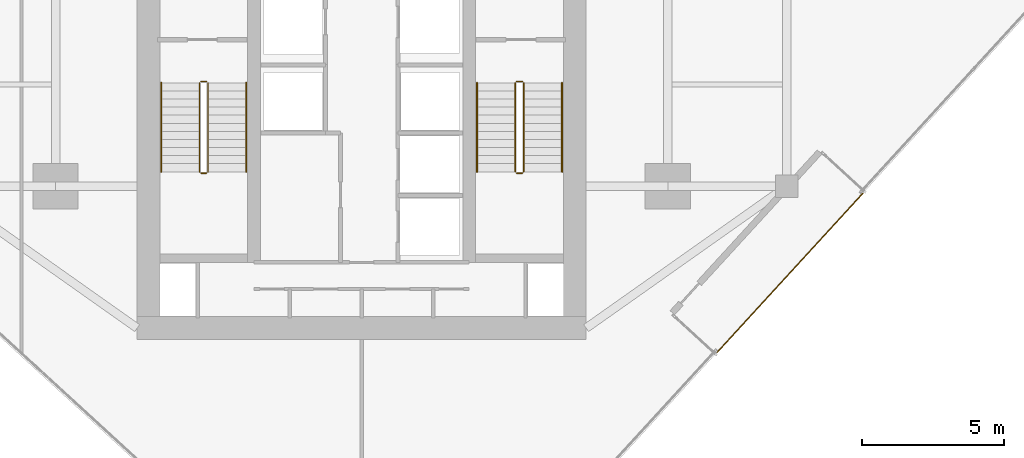
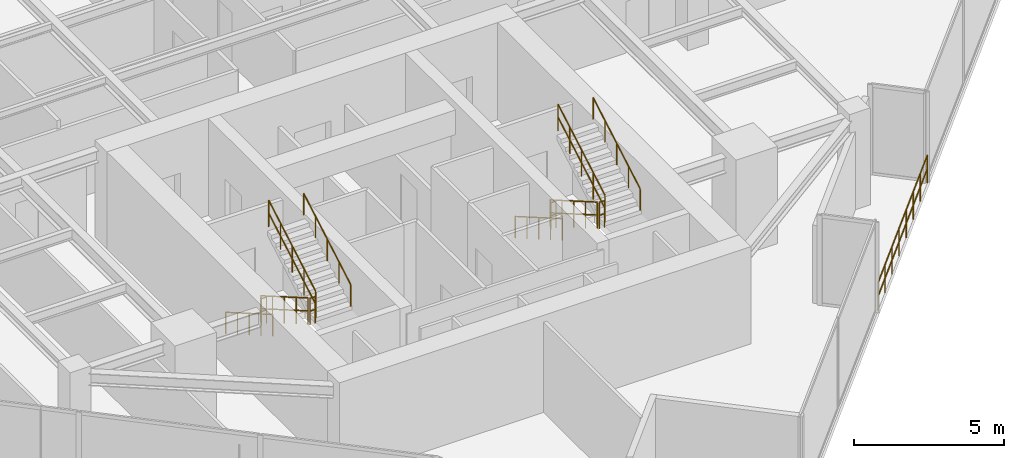
# One storey, part 25 of 26: 13 railings.
"""IFC4 building model written with IfcOpenShell, lengths in metres."""

import ifcopenshell
import ifcopenshell.guid

model = None  # the IFC model being written
_history = None  # IfcOwnerHistory: only IFC2X3 demands one
_inside = {}  # id of a spatial element -> (the spatial element, [elements in it])
_under = {}  # id of a project, library or spatial element -> (it, [spatial elements below it])
_declared = {}  # id of a project -> (the project, [libraries it declares])
_typed = {}  # id of a type object -> (the type object, [elements of that type])
_made_of = {}  # id of a material, layer set ... -> (it, [elements and type objects made of it])


def new_model(schema):
    """Start an empty IFC model of exactly this schema.

    Asked for "IFC4X3", IfcOpenShell would pick the latest addendum, in which some entities
    have other attributes; the version numbers below select the first issue.
    IFC2X3 requires an IfcOwnerHistory on every rooted entity: one is made here for all.
    """
    global model, _history
    if schema == "IFC4X3":
        model = ifcopenshell.file(schema_version=(4, 3, 0, 0))
    else:
        model = ifcopenshell.file(schema=schema)
    _inside.clear()
    _under.clear()
    _declared.clear()
    _typed.clear()
    _made_of.clear()
    _history = None
    if model.schema == "IFC2X3":
        org = make("IfcOrganization", Name="unknown")
        user = make(
            "IfcPersonAndOrganization",
            ThePerson=make("IfcPerson", FamilyName="unknown"),
            TheOrganization=org,
        )
        app = make(
            "IfcApplication",
            ApplicationDeveloper=org,
            Version="unknown",
            ApplicationFullName="unknown",
            ApplicationIdentifier="unknown",
        )
        _history = make(
            "IfcOwnerHistory",
            OwningUser=user,
            OwningApplication=app,
            ChangeAction="ADDED",
            CreationDate=0,
        )
    return model


def make(cls, **values):
    """One entity of the class cls with the attributes given. An attribute that is None is left unset."""
    return model.create_entity(
        cls, **{name: value for name, value in values.items() if value is not None}
    )


def rooted(cls, **values):
    """An entity with a GlobalId (a new one), such as an element, a storey or a relation."""
    return make(cls, GlobalId=ifcopenshell.guid.new(), OwnerHistory=_history, **values)


def si_unit(unit_type, name, prefix=None):
    """IfcSIUnit, for example si_unit("LENGTHUNIT", "METRE", prefix="MILLI")."""
    return make("IfcSIUnit", UnitType=unit_type, Prefix=prefix, Name=name)


def assignment(units):
    """IfcUnitAssignment: the units of a project."""
    return None if units is None else make("IfcUnitAssignment", Units=units)


def point(xyz):
    """IfcCartesianPoint."""
    return None if xyz is None else make("IfcCartesianPoint", Coordinates=xyz)


def direction(xyz):
    """IfcDirection."""
    return None if xyz is None else make("IfcDirection", DirectionRatios=xyz)


def frame(location, z_axis=None, x_axis=None):
    """IfcAxis2Placement3D, a coordinate frame: its origin and axes. An axis left out is left unset."""
    return make(
        "IfcAxis2Placement3D",
        Location=point(location),
        Axis=direction(z_axis),
        RefDirection=direction(x_axis),
    )


def frame_2d(location, x_axis=None):
    """IfcAxis2Placement2D, a coordinate frame in the plane: its origin and x axis."""
    return make(
        "IfcAxis2Placement2D", Location=point(location), RefDirection=direction(x_axis)
    )


def origin():
    """The frame at (0, 0, 0) with its axes left unset."""
    return frame((0.0, 0.0, 0.0))


def origin_2d():
    """The frame at (0, 0) in the plane with its x axis left unset."""
    return frame_2d((0.0, 0.0))


def place(relative_to, where):
    """IfcLocalPlacement: puts the frame where relative to a parent placement (None: the world)."""
    return make(
        "IfcLocalPlacement", PlacementRelTo=relative_to, RelativePlacement=where
    )


def context(
    kind, dimensions, precision=None, world=None, true_north=None, identifier=None
):
    """IfcGeometricRepresentationContext, for example the 3D "Model" context."""
    return make(
        "IfcGeometricRepresentationContext",
        ContextIdentifier=identifier,
        ContextType=kind,
        CoordinateSpaceDimension=dimensions,
        Precision=precision,
        WorldCoordinateSystem=world,
        TrueNorth=true_north,
    )


def subcontext(parent, identifier, kind, view, scale=None):
    """IfcGeometricRepresentationSubContext, for example "Body" below "Model"."""
    return make(
        "IfcGeometricRepresentationSubContext",
        ContextIdentifier=identifier,
        ContextType=kind,
        ParentContext=parent,
        TargetScale=scale,
        TargetView=view,
    )


def project(units=None, contexts=None):
    """IfcProject with its units and contexts."""
    return rooted(
        "IfcProject",
        Name="project",
        RepresentationContexts=contexts,
        UnitsInContext=assignment(units),
    )


def spatial(cls, under=None, at=None, **own):
    """A site, building, storey or space (cls), placed at a placement, below another one or the project."""
    s = rooted(cls, ObjectPlacement=at, **own)
    if under is not None:
        _under.setdefault(under.id(), (under, []))[1].append(s)
    return s


def profile(cls, at=None, kind="AREA", **sizes):
    """A parametric profile (cls). Its sizes go by their IFC names, for example OverallWidth=200.0."""
    return make(cls, ProfileType=kind, Position=at, **sizes)


def circle(**sizes):
    """IfcCircleProfileDef."""
    return profile("IfcCircleProfileDef", **sizes)


def extrude(swept, where, along, depth):
    """IfcExtrudedAreaSolid: the profile swept, set in the frame where, extruded along a direction by depth."""
    return make(
        "IfcExtrudedAreaSolid",
        SweptArea=swept,
        Position=where,
        ExtrudedDirection=direction(along),
        Depth=depth,
    )


def shape(context_of_items, identifier, shape_type, items):
    """IfcShapeRepresentation: the items that make up one representation, for example the "Body"."""
    return make(
        "IfcShapeRepresentation",
        ContextOfItems=context_of_items,
        RepresentationIdentifier=identifier,
        RepresentationType=shape_type,
        Items=items,
    )


def material(Name=None, Category=None):
    """IfcMaterial."""
    return make("IfcMaterial", Name=Name, Category=Category)


def layer(
    of_material, thickness, ventilated=None, Name=None, Category=None, Priority=None
):
    """IfcMaterialLayer: one layer of a wall or slab, of a material (None: an air gap)."""
    return make(
        "IfcMaterialLayer",
        Material=of_material,
        LayerThickness=thickness,
        IsVentilated=ventilated,
        Name=Name,
        Category=Category,
        Priority=Priority,
    )


def layer_set(layers, Name=None):
    """IfcMaterialLayerSet."""
    return make("IfcMaterialLayerSet", MaterialLayers=layers, LayerSetName=Name)


def made_of(thing, what):
    """Note that an element or type object is made of a material, layer set ...; save() writes the relation."""
    if what is not None:
        _made_of.setdefault(what.id(), (what, []))[1].append(thing)
    return thing


def type_object(cls, material=None, **own):
    """A type object (cls), such as IfcWallType, which elements share."""
    return made_of(rooted(cls, **own), material)


def element(
    cls,
    number,
    at=None,
    inside=None,
    cuts=None,
    type_object=None,
    material=None,
    context=None,
    identifier="Body",
    shape_type=None,
    held_by="IfcProductDefinitionShape",
    body=None,
    shapes=None,
    **own,
):
    """One element of the class cls, such as IfcWall. Its Tag is "e" and its number.

    at: its placement. inside: the storey or other place that contains it. cuts: it is an
    opening in that element (IfcRelVoidsElement). A single representation is given by context,
    identifier, shape_type and body (its items); several are given by shapes. held_by: the class
    of the entity that holds the representations. save() writes the other relations.
    """
    e = rooted(cls, Tag="e%d" % number, ObjectPlacement=at, **own)
    if body is not None:
        shapes = [shape(context, identifier, shape_type, body)]
    if shapes is not None:
        e.Representation = make(held_by, Representations=shapes)
    if inside is not None:
        _inside.setdefault(inside.id(), (inside, []))[1].append(e)
    if cuts is not None:
        rooted(
            "IfcRelVoidsElement", RelatingBuildingElement=cuts, RelatedOpeningElement=e
        )
    if type_object is not None:
        _typed.setdefault(type_object.id(), (type_object, []))[1].append(e)
    return made_of(e, material)


def aggregate(whole, parts):
    """IfcRelAggregates: a whole, such as a stair, and the parts it consists of."""
    return rooted("IfcRelAggregates", RelatingObject=whole, RelatedObjects=parts)


def save(model, path):
    """Write the relations noted so far, then the file.

    IfcRelAggregates (storeys below a building ...), IfcRelContainedInSpatialStructure (elements
    in a storey), IfcRelDefinesByType, IfcRelAssociatesMaterial and IfcRelDeclares: one each for
    every whole, place, type object, material and project.
    """
    for whole, parts in _under.values():
        aggregate(whole, parts)
    for where, things in _inside.values():
        rooted(
            "IfcRelContainedInSpatialStructure",
            RelatedElements=things,
            RelatingStructure=where,
        )
    for kind, things in _typed.values():
        rooted("IfcRelDefinesByType", RelatedObjects=things, RelatingType=kind)
    for what, things in _made_of.values():
        rooted("IfcRelAssociatesMaterial", RelatedObjects=things, RelatingMaterial=what)
    for by, libraries in _declared.values():
        rooted("IfcRelDeclares", RelatingContext=by, RelatedDefinitions=libraries)
    model.write(path)


model = new_model("IFC4")

# Units and contexts
model_context = context("Model", 3, precision=1e-05, world=origin(), true_north=direction((0.0, 1.0)))
body_context = subcontext(model_context, "Body", "Model", "MODEL_VIEW")
ifc_project = project(units=[si_unit("LENGTHUNIT", "METRE"), si_unit("AREAUNIT", "SQUARE_METRE"), si_unit("VOLUMEUNIT", "CUBIC_METRE"), si_unit("PLANEANGLEUNIT", "RADIAN"), si_unit("MASSUNIT", "GRAM", prefix="KILO")], contexts=[model_context])

# Site, building, storey
site_placement = place(None, origin())
site = spatial("IfcSite", under=ifc_project, at=site_placement, CompositionType="ELEMENT")
building_placement = place(site_placement, origin())
building = spatial("IfcBuilding", under=site, at=building_placement, Name="Krantzveldt Concourse Tower", CompositionType="ELEMENT")
storey_placement = place(building_placement, frame((0.0, 0.0, 219.14990234375)))
storey = spatial("IfcBuildingStorey", under=building, at=storey_placement, Name="L53", CompositionType="ELEMENT", Elevation=219.14990234375)

# Railings
ifc_material = material(Name="Stainless steel 316L", Category="steel")
ifc_layer_1 = layer(ifc_material, 0.080078125, Name="Stainless steel 316L", Category="steel")
ifc_layer_set_1 = layer_set([ifc_layer_1], Name="Stainless steel 316L (RL-BALUSTRADE-1150)")
railing_type_1 = type_object("IfcRailingType", Name="RL-BALUSTRADE-1150", PredefinedType="BALUSTRADE", material=ifc_layer_set_1)
railing_1_placement = place(storey_placement, frame((48.546875, 10.048828125, 0.0)))
element("IfcRailing", 1, at=railing_1_placement, inside=storey, type_object=railing_type_1, Name="GD-L53-CTER-01", PredefinedType="BALUSTRADE", context=body_context, shape_type="SweptSolid", body=[
    extrude(circle(Radius=0.02392578125, at=origin_2d()), frame((0.0, 0.0, 1.1259765625), z_axis=(0.675595153214, 0.737272804974, 0.0), x_axis=(-0.737272804974, 0.675595153214, 0.0)), (0.0, 0.0, 1.0), 7.60009765625),
    extrude(circle(Radius=0.02392578125, at=origin_2d()), frame((0.0, 0.0, 0.574951171875), z_axis=(0.675595153214, 0.737272804974, 0.0), x_axis=(-0.737272804974, 0.675595153214, 0.0)), (0.0, 0.0, 1.0), 7.60009765625),
    extrude(circle(Radius=0.02099609375, at=origin_2d()), origin(), (0.0, 0.0, 1.0), 1.101806640625),
    extrude(circle(Radius=0.02099609375, at=origin_2d()), frame((0.7333984375, 0.800537109375, 0.0)), (0.0, 0.0, 1.0), 1.101806640625),
    extrude(circle(Radius=0.02099609375, at=origin_2d()), frame((1.467041015625, 1.600830078125, 0.0)), (0.0, 0.0, 1.0), 1.101806640625),
    extrude(circle(Radius=0.02099609375, at=origin_2d()), frame((2.200439453125, 2.4013671875, 0.0)), (0.0, 0.0, 1.0), 1.101806640625),
    extrude(circle(Radius=0.02099609375, at=origin_2d()), frame((2.93408203125, 3.201904296875, 0.0)), (0.0, 0.0, 1.0), 1.101806640625),
    extrude(circle(Radius=0.02099609375, at=origin_2d()), frame((3.66748046875, 4.00244140625, 0.0)), (0.0, 0.0, 1.0), 1.101806640625),
    extrude(circle(Radius=0.02099609375, at=origin_2d()), frame((4.401123046875, 4.802734375, 0.0)), (0.0, 0.0, 1.0), 1.101806640625),
    extrude(circle(Radius=0.02099609375, at=origin_2d()), frame((5.134521484375, 5.603271484375, 0.0)), (0.0, 0.0, 1.0), 1.101806640625),
])
ifc_layer_2 = layer(ifc_material, 0.06005859375, Name="Stainless steel 316L", Category="steel")
ifc_layer_set_2 = layer_set([ifc_layer_2], Name="Stainless steel 316L (RL-GUARD-1120)")
railing_type_2 = type_object("IfcRailingType", Name="RL-GUARD-1120", PredefinedType="GUARDRAIL", material=ifc_layer_set_2)
railing_2_placement = place(storey_placement, frame((30.280029296875, 19.550048828125, 0.164794921875)))
element("IfcRailing", 2, at=railing_2_placement, inside=storey, type_object=railing_type_2, Name="L53 ST-1 stair guard 1", PredefinedType="GUARDRAIL", context=body_context, shape_type="SweptSolid", body=[
    extrude(circle(Radius=0.02392578125, at=origin_2d()), frame((0.0, 0.0, 1.076171875), z_axis=(0.0, -0.865989039225, 0.500062979975), x_axis=(1.0, 0.0, 0.0)), (0.0, 0.0, 1.0), 3.6201171875),
    extrude(circle(Radius=0.02392578125, at=origin_2d()), frame((0.0, 0.0, 0.550048828125), z_axis=(0.0, -0.865989039225, 0.500062979975), x_axis=(1.0, 0.0, 0.0)), (0.0, 0.0, 1.0), 3.6201171875),
    extrude(circle(Radius=0.02099609375, at=origin_2d()), origin(), (0.0, 0.0, 1.0), 1.052001953125),
    extrude(circle(Radius=0.02099609375, at=origin_2d()), frame((0.0, -0.78369140625, 0.45263671875)), (0.0, 0.0, 1.0), 1.052001953125),
    extrude(circle(Radius=0.02099609375, at=origin_2d()), frame((0.0, -1.5673828125, 0.9052734375)), (0.0, 0.0, 1.0), 1.052001953125),
    extrude(circle(Radius=0.02099609375, at=origin_2d()), frame((0.0, -2.351318359375, 1.357666015625)), (0.0, 0.0, 1.0), 1.052001953125),
    extrude(circle(Radius=0.02099609375, at=origin_2d()), frame((0.0, -3.135009765625, 1.810302734375)), (0.0, 0.0, 1.0), 1.052001953125),
])
railing_3_placement = place(storey_placement, frame((30.330078125, 16.364990234375, 1.97509765625)))
element("IfcRailing", 3, at=railing_3_placement, inside=storey, type_object=railing_type_2, Name="L53 ST-1 stair guard 2", PredefinedType="GUARDRAIL", context=body_context, shape_type="SweptSolid", body=[
    extrude(circle(Radius=0.02392578125, at=origin_2d()), frame((0.0, 0.0, 1.076171875), z_axis=(1.0, 0.0, 0.0), x_axis=(0.0, 1.0, 0.0)), (0.0, 0.0, 1.0), 0.199951171875),
    extrude(circle(Radius=0.02392578125, at=origin_2d()), frame((0.0, 0.0, 0.550048828125), z_axis=(1.0, 0.0, 0.0), x_axis=(0.0, 1.0, 0.0)), (0.0, 0.0, 1.0), 0.199951171875),
    extrude(circle(Radius=0.02099609375, at=origin_2d()), origin(), (0.0, 0.0, 1.0), 1.052001953125),
    extrude(circle(Radius=0.02099609375, at=origin_2d()), frame((0.199951171875, 0.0, 0.0)), (0.0, 0.0, 1.0), 1.052001953125),
])
railing_4_placement = place(storey_placement, frame((30.580078125, 16.4150390625, 2.1396484375)))
element("IfcRailing", 4, at=railing_4_placement, inside=storey, type_object=railing_type_2, Name="L53 ST-1 stair guard 3", PredefinedType="GUARDRAIL", context=body_context, shape_type="SweptSolid", body=[
    extrude(circle(Radius=0.02392578125, at=origin_2d()), frame((0.0, 0.0, 1.076171875), z_axis=(0.0, 0.865959834175, 0.500113552702), x_axis=(-1.0, 0.0, 0.0)), (0.0, 0.0, 1.0), 3.620361328125),
    extrude(circle(Radius=0.02392578125, at=origin_2d()), frame((0.0, 0.0, 0.550048828125), z_axis=(0.0, 0.865959834175, 0.500113552702), x_axis=(-1.0, 0.0, 0.0)), (0.0, 0.0, 1.0), 3.620361328125),
    extrude(circle(Radius=0.02099609375, at=origin_2d()), origin(), (0.0, 0.0, 1.0), 1.052001953125),
    extrude(circle(Radius=0.02099609375, at=origin_2d()), frame((0.0, 0.78369140625, 0.45263671875)), (0.0, 0.0, 1.0), 1.052001953125),
    extrude(circle(Radius=0.02099609375, at=origin_2d()), frame((0.0, 1.5673828125, 0.9052734375)), (0.0, 0.0, 1.0), 1.052001953125),
    extrude(circle(Radius=0.02099609375, at=origin_2d()), frame((0.0, 2.351318359375, 1.35791015625)), (0.0, 0.0, 1.0), 1.052001953125),
    extrude(circle(Radius=0.02099609375, at=origin_2d()), frame((0.0, 3.135009765625, 1.810546875)), (0.0, 0.0, 1.0), 1.052001953125),
])
railing_5_placement = place(storey_placement, frame((30.330078125, 19.60009765625, 0.0)))
element("IfcRailing", 5, at=railing_5_placement, inside=storey, type_object=railing_type_2, Name="L53 ST-1 stair guard 4", PredefinedType="GUARDRAIL", context=body_context, shape_type="SweptSolid", body=[
    extrude(circle(Radius=0.02392578125, at=origin_2d()), frame((0.0, 0.0, 1.076171875), z_axis=(1.0, 0.0, 0.0), x_axis=(0.0, 1.0, 0.0)), (0.0, 0.0, 1.0), 0.199951171875),
    extrude(circle(Radius=0.02392578125, at=origin_2d()), frame((0.0, 0.0, 0.550048828125), z_axis=(1.0, 0.0, 0.0), x_axis=(0.0, 1.0, 0.0)), (0.0, 0.0, 1.0), 0.199951171875),
    extrude(circle(Radius=0.02099609375, at=origin_2d()), origin(), (0.0, 0.0, 1.0), 1.052001953125),
    extrude(circle(Radius=0.02099609375, at=origin_2d()), frame((0.199951171875, 0.0, 0.0)), (0.0, 0.0, 1.0), 1.052001953125),
])
railing_6_placement = place(storey_placement, frame((41.419921875, 19.550048828125, 0.164794921875)))
element("IfcRailing", 6, at=railing_6_placement, inside=storey, type_object=railing_type_2, Name="L53 ST-2 stair guard 1", PredefinedType="GUARDRAIL", context=body_context, shape_type="SweptSolid", body=[
    extrude(circle(Radius=0.02392578125, at=origin_2d()), frame((0.0, 0.0, 1.076171875), z_axis=(0.0, -0.865989039225, 0.500062979975), x_axis=(1.0, 0.0, 0.0)), (0.0, 0.0, 1.0), 3.6201171875),
    extrude(circle(Radius=0.02392578125, at=origin_2d()), frame((0.0, 0.0, 0.550048828125), z_axis=(0.0, -0.865989039225, 0.500062979975), x_axis=(1.0, 0.0, 0.0)), (0.0, 0.0, 1.0), 3.6201171875),
    extrude(circle(Radius=0.02099609375, at=origin_2d()), origin(), (0.0, 0.0, 1.0), 1.052001953125),
    extrude(circle(Radius=0.02099609375, at=origin_2d()), frame((0.0, -0.78369140625, 0.45263671875)), (0.0, 0.0, 1.0), 1.052001953125),
    extrude(circle(Radius=0.02099609375, at=origin_2d()), frame((0.0, -1.5673828125, 0.9052734375)), (0.0, 0.0, 1.0), 1.052001953125),
    extrude(circle(Radius=0.02099609375, at=origin_2d()), frame((0.0, -2.351318359375, 1.357666015625)), (0.0, 0.0, 1.0), 1.052001953125),
    extrude(circle(Radius=0.02099609375, at=origin_2d()), frame((0.0, -3.135009765625, 1.810302734375)), (0.0, 0.0, 1.0), 1.052001953125),
])
railing_7_placement = place(storey_placement, frame((41.469970703125, 16.364990234375, 1.97509765625)))
element("IfcRailing", 7, at=railing_7_placement, inside=storey, type_object=railing_type_2, Name="L53 ST-2 stair guard 2", PredefinedType="GUARDRAIL", context=body_context, shape_type="SweptSolid", body=[
    extrude(circle(Radius=0.02392578125, at=origin_2d()), frame((0.0, 0.0, 1.076171875), z_axis=(1.0, 0.0, 0.0), x_axis=(0.0, 1.0, 0.0)), (0.0, 0.0, 1.0), 0.199951171875),
    extrude(circle(Radius=0.02392578125, at=origin_2d()), frame((0.0, 0.0, 0.550048828125), z_axis=(1.0, 0.0, 0.0), x_axis=(0.0, 1.0, 0.0)), (0.0, 0.0, 1.0), 0.199951171875),
    extrude(circle(Radius=0.02099609375, at=origin_2d()), origin(), (0.0, 0.0, 1.0), 1.052001953125),
    extrude(circle(Radius=0.02099609375, at=origin_2d()), frame((0.199951171875, 0.0, 0.0)), (0.0, 0.0, 1.0), 1.052001953125),
])
railing_8_placement = place(storey_placement, frame((41.719970703125, 16.4150390625, 2.1396484375)))
element("IfcRailing", 8, at=railing_8_placement, inside=storey, type_object=railing_type_2, Name="L53 ST-2 stair guard 3", PredefinedType="GUARDRAIL", context=body_context, shape_type="SweptSolid", body=[
    extrude(circle(Radius=0.02392578125, at=origin_2d()), frame((0.0, 0.0, 1.076171875), z_axis=(0.0, 0.865959834175, 0.500113552702), x_axis=(-1.0, 0.0, 0.0)), (0.0, 0.0, 1.0), 3.620361328125),
    extrude(circle(Radius=0.02392578125, at=origin_2d()), frame((0.0, 0.0, 0.550048828125), z_axis=(0.0, 0.865959834175, 0.500113552702), x_axis=(-1.0, 0.0, 0.0)), (0.0, 0.0, 1.0), 3.620361328125),
    extrude(circle(Radius=0.02099609375, at=origin_2d()), origin(), (0.0, 0.0, 1.0), 1.052001953125),
    extrude(circle(Radius=0.02099609375, at=origin_2d()), frame((0.0, 0.78369140625, 0.45263671875)), (0.0, 0.0, 1.0), 1.052001953125),
    extrude(circle(Radius=0.02099609375, at=origin_2d()), frame((0.0, 1.5673828125, 0.9052734375)), (0.0, 0.0, 1.0), 1.052001953125),
    extrude(circle(Radius=0.02099609375, at=origin_2d()), frame((0.0, 2.351318359375, 1.35791015625)), (0.0, 0.0, 1.0), 1.052001953125),
    extrude(circle(Radius=0.02099609375, at=origin_2d()), frame((0.0, 3.135009765625, 1.810546875)), (0.0, 0.0, 1.0), 1.052001953125),
])
railing_9_placement = place(storey_placement, frame((41.469970703125, 19.60009765625, 0.0)))
element("IfcRailing", 9, at=railing_9_placement, inside=storey, type_object=railing_type_2, Name="L53 ST-2 stair guard 4", PredefinedType="GUARDRAIL", context=body_context, shape_type="SweptSolid", body=[
    extrude(circle(Radius=0.02392578125, at=origin_2d()), frame((0.0, 0.0, 1.076171875), z_axis=(1.0, 0.0, 0.0), x_axis=(0.0, 1.0, 0.0)), (0.0, 0.0, 1.0), 0.199951171875),
    extrude(circle(Radius=0.02392578125, at=origin_2d()), frame((0.0, 0.0, 0.550048828125), z_axis=(1.0, 0.0, 0.0), x_axis=(0.0, 1.0, 0.0)), (0.0, 0.0, 1.0), 0.199951171875),
    extrude(circle(Radius=0.02099609375, at=origin_2d()), origin(), (0.0, 0.0, 1.0), 1.052001953125),
    extrude(circle(Radius=0.02099609375, at=origin_2d()), frame((0.199951171875, 0.0, 0.0)), (0.0, 0.0, 1.0), 1.052001953125),
])
ifc_layer_3 = layer(ifc_material, 0.050048828125, Name="Stainless steel 316L", Category="steel")
ifc_layer_set_3 = layer_set([ifc_layer_3], Name="Stainless steel 316L (RL-HANDRAIL-920)")
railing_type_3 = type_object("IfcRailingType", Name="RL-HANDRAIL-920", PredefinedType="HANDRAIL", material=ifc_layer_set_3)
railing_10_placement = place(storey_placement, frame((28.929931640625, 19.550048828125, 0.164794921875)))
element("IfcRailing", 10, at=railing_10_placement, inside=storey, type_object=railing_type_3, Name="L53 ST-1 stair handrail 1", PredefinedType="HANDRAIL", context=body_context, shape_type="SweptSolid", body=[
    extrude(circle(Radius=0.02392578125, at=origin_2d()), frame((0.0, 0.0, 0.8759765625), z_axis=(0.0, -0.865989039225, 0.500062979975), x_axis=(1.0, 0.0, 0.0)), (0.0, 0.0, 1.0), 3.6201171875),
    extrude(circle(Radius=0.02099609375, at=origin_2d()), origin(), (0.0, 0.0, 1.0), 0.851806640625),
    extrude(circle(Radius=0.02099609375, at=origin_2d()), frame((0.0, -0.78369140625, 0.45263671875)), (0.0, 0.0, 1.0), 0.851806640625),
    extrude(circle(Radius=0.02099609375, at=origin_2d()), frame((0.0, -1.5673828125, 0.9052734375)), (0.0, 0.0, 1.0), 0.851806640625),
    extrude(circle(Radius=0.02099609375, at=origin_2d()), frame((0.0, -2.351318359375, 1.357666015625)), (0.0, 0.0, 1.0), 0.851806640625),
    extrude(circle(Radius=0.02099609375, at=origin_2d()), frame((0.0, -3.135009765625, 1.810302734375)), (0.0, 0.0, 1.0), 0.851806640625),
])
railing_11_placement = place(storey_placement, frame((31.929931640625, 16.4150390625, 2.1396484375)))
element("IfcRailing", 11, at=railing_11_placement, inside=storey, type_object=railing_type_3, Name="L53 ST-1 stair handrail 2", PredefinedType="HANDRAIL", context=body_context, shape_type="SweptSolid", body=[
    extrude(circle(Radius=0.02392578125, at=origin_2d()), frame((0.0, 0.0, 0.8759765625), z_axis=(0.0, 0.865959834175, 0.500113552702), x_axis=(-1.0, 0.0, 0.0)), (0.0, 0.0, 1.0), 3.620361328125),
    extrude(circle(Radius=0.02099609375, at=origin_2d()), origin(), (0.0, 0.0, 1.0), 0.851806640625),
    extrude(circle(Radius=0.02099609375, at=origin_2d()), frame((0.0, 0.78369140625, 0.45263671875)), (0.0, 0.0, 1.0), 0.851806640625),
    extrude(circle(Radius=0.02099609375, at=origin_2d()), frame((0.0, 1.5673828125, 0.9052734375)), (0.0, 0.0, 1.0), 0.851806640625),
    extrude(circle(Radius=0.02099609375, at=origin_2d()), frame((0.0, 2.351318359375, 1.35791015625)), (0.0, 0.0, 1.0), 0.851806640625),
    extrude(circle(Radius=0.02099609375, at=origin_2d()), frame((0.0, 3.135009765625, 1.810546875)), (0.0, 0.0, 1.0), 0.851806640625),
])
railing_12_placement = place(storey_placement, frame((40.070068359375, 19.550048828125, 0.164794921875)))
element("IfcRailing", 12, at=railing_12_placement, inside=storey, type_object=railing_type_3, Name="L53 ST-2 stair handrail 1", PredefinedType="HANDRAIL", context=body_context, shape_type="SweptSolid", body=[
    extrude(circle(Radius=0.02392578125, at=origin_2d()), frame((0.0, 0.0, 0.8759765625), z_axis=(0.0, -0.865989039225, 0.500062979975), x_axis=(1.0, 0.0, 0.0)), (0.0, 0.0, 1.0), 3.6201171875),
    extrude(circle(Radius=0.02099609375, at=origin_2d()), origin(), (0.0, 0.0, 1.0), 0.851806640625),
    extrude(circle(Radius=0.02099609375, at=origin_2d()), frame((0.0, -0.78369140625, 0.45263671875)), (0.0, 0.0, 1.0), 0.851806640625),
    extrude(circle(Radius=0.02099609375, at=origin_2d()), frame((0.0, -1.5673828125, 0.9052734375)), (0.0, 0.0, 1.0), 0.851806640625),
    extrude(circle(Radius=0.02099609375, at=origin_2d()), frame((0.0, -2.351318359375, 1.357666015625)), (0.0, 0.0, 1.0), 0.851806640625),
    extrude(circle(Radius=0.02099609375, at=origin_2d()), frame((0.0, -3.135009765625, 1.810302734375)), (0.0, 0.0, 1.0), 0.851806640625),
])
railing_13_placement = place(storey_placement, frame((43.070068359375, 16.4150390625, 2.1396484375)))
element("IfcRailing", 13, at=railing_13_placement, inside=storey, type_object=railing_type_3, Name="L53 ST-2 stair handrail 2", PredefinedType="HANDRAIL", context=body_context, shape_type="SweptSolid", body=[
    extrude(circle(Radius=0.02392578125, at=origin_2d()), frame((0.0, 0.0, 0.8759765625), z_axis=(0.0, 0.865959834175, 0.500113552702), x_axis=(-1.0, 0.0, 0.0)), (0.0, 0.0, 1.0), 3.620361328125),
    extrude(circle(Radius=0.02099609375, at=origin_2d()), origin(), (0.0, 0.0, 1.0), 0.851806640625),
    extrude(circle(Radius=0.02099609375, at=origin_2d()), frame((0.0, 0.78369140625, 0.45263671875)), (0.0, 0.0, 1.0), 0.851806640625),
    extrude(circle(Radius=0.02099609375, at=origin_2d()), frame((0.0, 1.5673828125, 0.9052734375)), (0.0, 0.0, 1.0), 0.851806640625),
    extrude(circle(Radius=0.02099609375, at=origin_2d()), frame((0.0, 2.351318359375, 1.35791015625)), (0.0, 0.0, 1.0), 0.851806640625),
    extrude(circle(Radius=0.02099609375, at=origin_2d()), frame((0.0, 3.135009765625, 1.810546875)), (0.0, 0.0, 1.0), 0.851806640625),
])

save(model, "model.ifc")
